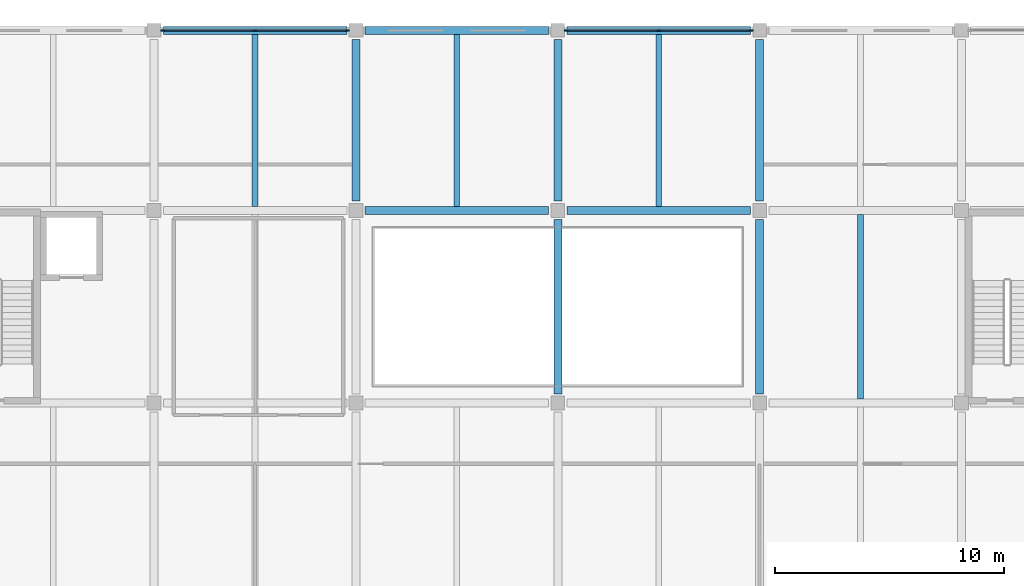
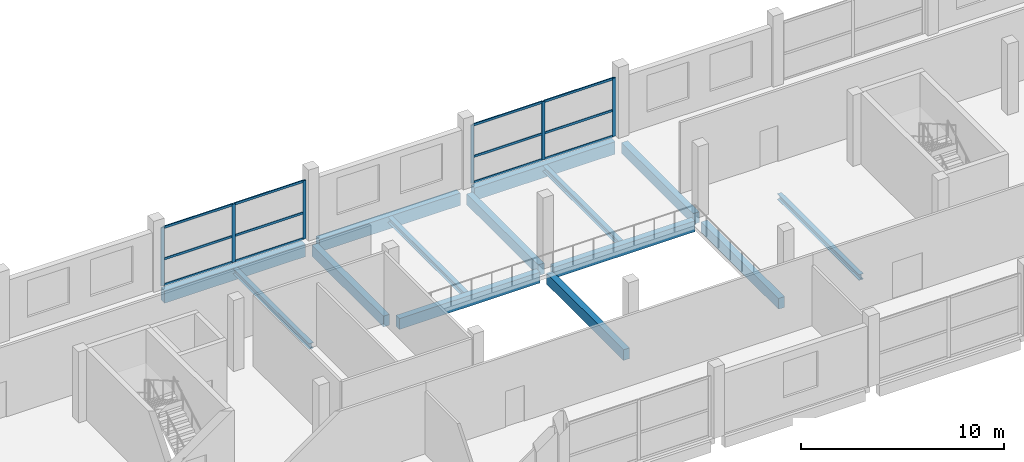
# One storey, part 11 of 38: 18 members, 14 beams, 2 elements without a shape of their own.
"""IFC4 building model written with IfcOpenShell, lengths in metres."""

from ifc_helpers import new_model, si_unit, direction, frame, origin, origin_2d, place, context, subcontext, project, spatial, rectangle, i_section, extrude, material, material_profile, profile_set, type_object, element, aggregate, save


model = new_model("IFC4")

# Units and contexts
model_context = context("Model", 3, precision=1e-05, world=origin(), true_north=direction((0.0, 1.0)))
body_context = subcontext(model_context, "Body", "Model", "MODEL_VIEW")
ifc_project = project(units=[si_unit("LENGTHUNIT", "METRE"), si_unit("AREAUNIT", "SQUARE_METRE"), si_unit("VOLUMEUNIT", "CUBIC_METRE"), si_unit("PLANEANGLEUNIT", "RADIAN"), si_unit("MASSUNIT", "GRAM", prefix="KILO")], contexts=[model_context])

# Site, building, storey
site_placement = place(None, origin())
site = spatial("IfcSite", under=ifc_project, at=site_placement, CompositionType="ELEMENT")
building_placement = place(site_placement, origin())
building = spatial("IfcBuilding", under=site, at=building_placement, Name="Brinegate Botanical Conservatory", CompositionType="ELEMENT")
storey_placement = place(building_placement, frame((0.0, 0.0, 10.199951171875)))
storey = spatial("IfcBuildingStorey", under=building, at=storey_placement, Name="L03", CompositionType="ELEMENT", Elevation=10.199951171875)

# Beams
ifc_material_1 = material(Name="Concrete C40/50", Category="concrete")
ifc_material_profile_1 = material_profile(ifc_material_1, rectangle(XDim=0.35009765625, YDim=0.64990234375, at=origin_2d()), Name="RC BM 350x650")
ifc_profile_set_1 = profile_set([ifc_material_profile_1], Name="Concrete C40/50")
beam_type_1 = type_object("IfcBeamType", Name="Beam_BM-V3", PredefinedType="BEAM", material=ifc_profile_set_1)
for number, where, z_axis, x_axis, name in (
    (1, (77.60009765625, 103.60009765625, -0.544921875), (1.0, 0.0, 0.0), (0.0, 1.0, 0.0), "Beam BM-V3 L03 N:10-11"),
    (2, (86.39990234375, 103.60009765625, -0.544921875), (1.0, 0.0, 0.0), (0.0, 1.0, 0.0), "Beam BM-V3 L03 N:11-12"),
):
    element("IfcBeam", number, at=place(storey_placement, frame(where, z_axis=z_axis, x_axis=x_axis)), inside=storey, type_object=beam_type_1, Name=name, PredefinedType="BEAM", context=body_context, shape_type="SweptSolid", body=[
        extrude(rectangle(XDim=0.35009765625, YDim=0.64990234375, at=origin_2d()), origin(), (0.0, 0.0, 1.0), 8.0),
    ])
beam_1_placement = place(storey_placement, frame((77.199951171875, 104.0, -0.544921875), z_axis=(0.0, 1.0, 0.0), x_axis=(-1.0, 0.0, 0.0)))
element("IfcBeam", 3, at=beam_1_placement, inside=storey, type_object=beam_type_1, Name="Beam BM-V3 L03 10:N-P", PredefinedType="BEAM", context=body_context, shape_type="SweptSolid", body=[
    extrude(rectangle(XDim=0.35009765625, YDim=0.64990234375, at=origin_2d()), origin(), (0.0, 0.0, 1.0), 7.050048828125),
])
beam_2_placement = place(storey_placement, frame((86.0, 95.60009765625, -0.544921875), z_axis=(0.0, 1.0, 0.0), x_axis=(-1.0, 0.0, 0.0)))
element("IfcBeam", 4, at=beam_2_placement, inside=storey, type_object=beam_type_1, Name="Beam BM-V3 L03 11:M-N", PredefinedType="BEAM", context=body_context, shape_type="SweptSolid", body=[
    extrude(rectangle(XDim=0.35009765625, YDim=0.64990234375, at=origin_2d()), origin(), (0.0, 0.0, 1.0), 7.599853515625),
])
beam_3_placement = place(storey_placement, frame((86.0, 104.0, -0.544921875), z_axis=(0.0, 1.0, 0.0), x_axis=(-1.0, 0.0, 0.0)))
element("IfcBeam", 5, at=beam_3_placement, inside=storey, type_object=beam_type_1, Name="Beam BM-V3 L03 11:N-P", PredefinedType="BEAM", context=body_context, shape_type="SweptSolid", body=[
    extrude(rectangle(XDim=0.35009765625, YDim=0.64990234375, at=origin_2d()), origin(), (0.0, 0.0, 1.0), 7.050048828125),
])
beam_4_placement = place(storey_placement, frame((94.800048828125, 95.60009765625, -0.544921875), z_axis=(0.0, 1.0, 0.0), x_axis=(-1.0, 0.0, 0.0)))
element("IfcBeam", 6, at=beam_4_placement, inside=storey, type_object=beam_type_1, Name="Beam BM-V3 L03 12:M-N", PredefinedType="BEAM", context=body_context, shape_type="SweptSolid", body=[
    extrude(rectangle(XDim=0.35009765625, YDim=0.64990234375, at=origin_2d()), origin(), (0.0, 0.0, 1.0), 7.599853515625),
])
beam_5_placement = place(storey_placement, frame((94.800048828125, 104.0, -0.544921875), z_axis=(0.0, 1.0, 0.0), x_axis=(-1.0, 0.0, 0.0)))
element("IfcBeam", 7, at=beam_5_placement, inside=storey, type_object=beam_type_1, Name="Beam BM-V3 L03 12:N-P", PredefinedType="BEAM", context=body_context, shape_type="SweptSolid", body=[
    extrude(rectangle(XDim=0.35009765625, YDim=0.64990234375, at=origin_2d()), origin(), (0.0, 0.0, 1.0), 7.050048828125),
])
ifc_material_2 = material(Name="Structural steel Q355B / S355", Category="steel")
ifc_material_profile_2 = material_profile(ifc_material_2, i_section(OverallWidth=0.25, OverallDepth=0.340087890625, WebThickness=0.009033203125, FlangeThickness=0.013916015625, at=origin_2d()), Name="HM 340x250x9x14")
ifc_profile_set_2 = profile_set([ifc_material_profile_2], Name="Structural steel Q355B / S355")
beam_type_2 = type_object("IfcBeamType", Name="Beam_JS-S5", PredefinedType="JOIST", material=ifc_profile_set_2)
for number, where, z_axis, x_axis, name in (
    (8, (72.800048828125, 103.77490234375, -0.389892578125), (0.0, 1.0, 0.0), (-1.0, 0.0, 0.0), "Floor joist JS-S5 L03 bay 9.13"),
    (9, (81.60009765625, 103.77490234375, -0.389892578125), (0.0, 1.0, 0.0), (-1.0, 0.0, 0.0), "Floor joist JS-S5 L03 bay 10.13"),
    (10, (90.39990234375, 103.77490234375, -0.389892578125), (0.0, 1.0, 0.0), (-1.0, 0.0, 0.0), "Floor joist JS-S5 L03 bay 11.13"),
):
    element("IfcBeam", number, at=place(storey_placement, frame(where, z_axis=z_axis, x_axis=x_axis)), inside=storey, type_object=beam_type_2, Name=name, PredefinedType="JOIST", context=body_context, shape_type="SweptSolid", body=[
        extrude(i_section(OverallWidth=0.25, OverallDepth=0.340087890625, WebThickness=0.009033203125, FlangeThickness=0.013916015625, at=origin_2d()), origin(), (0.0, 0.0, 1.0), 7.5),
    ])
beam_6_placement = place(storey_placement, frame((99.199951171875, 95.375, -0.389892578125), z_axis=(0.0, 1.0, 0.0), x_axis=(-1.0, 0.0, 0.0)))
element("IfcBeam", 11, at=beam_6_placement, inside=storey, type_object=beam_type_2, Name="Floor joist JS-S5 L03 bay 12.12", PredefinedType="JOIST", context=body_context, shape_type="SweptSolid", body=[
    extrude(i_section(OverallWidth=0.25, OverallDepth=0.340087890625, WebThickness=0.009033203125, FlangeThickness=0.013916015625, at=origin_2d()), origin(), (0.0, 0.0, 1.0), 8.050048828125),
])
ifc_material_profile_3 = material_profile(ifc_material_1, rectangle(XDim=0.35009765625, YDim=0.75, at=origin_2d()), Name="RC SPN 350x750")
ifc_profile_set_3 = profile_set([ifc_material_profile_3], Name="Concrete C40/50")
beam_type_3 = type_object("IfcBeamType", Name="Beam_SP-01", PredefinedType="SPANDREL", material=ifc_profile_set_3)
for number, where, z_axis, x_axis, name in (
    (12, (68.800048828125, 111.449951171875, -0.594970703125), (1.0, 0.0, 0.0), (0.0, 1.0, 0.0), "Beam SP-01 L03 P:9-10"),
    (13, (77.60009765625, 111.449951171875, -0.594970703125), (1.0, 0.0, 0.0), (0.0, 1.0, 0.0), "Beam SP-01 L03 P:10-11"),
    (14, (86.39990234375, 111.449951171875, -0.594970703125), (1.0, 0.0, 0.0), (0.0, 1.0, 0.0), "Beam SP-01 L03 P:11-12"),
):
    element("IfcBeam", number, at=place(storey_placement, frame(where, z_axis=z_axis, x_axis=x_axis)), inside=storey, type_object=beam_type_3, Name=name, PredefinedType="SPANDREL", context=body_context, shape_type="SweptSolid", body=[
        extrude(rectangle(XDim=0.35009765625, YDim=0.75, at=origin_2d()), origin(), (0.0, 0.0, 1.0), 8.0),
    ])

# Curtain wall, members
ifc_material_3 = material(Name="Thermally broken anodised aluminium AW-6063-T6", Category="aluminium")
curtain_wall_type = type_object("IfcCurtainWallType", Name="CW_CW-V3", PredefinedType="USERDEFINED", material=ifc_material_3)
curtain_wall_1_placement = place(storey_placement, origin())
curtain_wall_1 = element("IfcCurtainWall", 15, at=curtain_wall_1_placement, inside=storey, type_object=curtain_wall_type, Name="Visitor north factory curtain wall L03.3", ObjectType="FACTORY CURTAIN WALL", PredefinedType="USERDEFINED")
ifc_material_profile_4 = material_profile(ifc_material_3, rectangle(XDim=0.06494140625, YDim=0.179931640625, at=origin_2d()), Name="ALUM MULLION 65x180")
ifc_profile_set_4 = profile_set([ifc_material_profile_4], Name="Thermally broken anodised aluminium AW-6063-T6")
member_type_1 = type_object("IfcMemberType", Name="Member_ML-02", PredefinedType="MULLION", material=ifc_profile_set_4)
member_1_placement = place(storey_placement, frame((68.7724609375, 111.449951171875, 0.0), z_axis=(0.0, 0.0, 1.0), x_axis=(0.0, 1.0, 0.0)))
member_1 = element("IfcMember", 16, at=member_1_placement, type_object=member_type_1, Name="CW-V3 mullion 1", PredefinedType="MULLION", context=body_context, shape_type="SweptSolid", body=[
    extrude(rectangle(XDim=0.06494140625, YDim=0.179931640625, at=origin_2d()), origin(), (0.0, 0.0, 1.0), 3.510009765625),
])
member_2_placement = place(storey_placement, frame((72.800048828125, 111.449951171875, 0.0), z_axis=(0.0, 0.0, 1.0), x_axis=(0.0, 1.0, 0.0)))
member_2 = element("IfcMember", 17, at=member_2_placement, type_object=member_type_1, Name="CW-V3 mullion 2", PredefinedType="MULLION", context=body_context, shape_type="SweptSolid", body=[
    extrude(rectangle(XDim=0.06494140625, YDim=0.179931640625, at=origin_2d()), origin(), (0.0, 0.0, 1.0), 3.510009765625),
])
member_3_placement = place(storey_placement, frame((76.827392578125, 111.449951171875, 0.0), z_axis=(0.0, 0.0, 1.0), x_axis=(0.0, 1.0, 0.0)))
member_3 = element("IfcMember", 18, at=member_3_placement, type_object=member_type_1, Name="CW-V3 mullion 3", PredefinedType="MULLION", context=body_context, shape_type="SweptSolid", body=[
    extrude(rectangle(XDim=0.06494140625, YDim=0.179931640625, at=origin_2d()), origin(), (0.0, 0.0, 1.0), 3.510009765625),
])

curtain_wall_2_placement = place(storey_placement, origin())
curtain_wall_2 = element("IfcCurtainWall", 19, at=curtain_wall_2_placement, inside=storey, type_object=curtain_wall_type, Name="Visitor north factory curtain wall L03.5", ObjectType="FACTORY CURTAIN WALL", PredefinedType="USERDEFINED")
member_4_placement = place(storey_placement, frame((86.37255859375, 111.449951171875, 0.0), z_axis=(0.0, 0.0, 1.0), x_axis=(0.0, 1.0, 0.0)))
member_4 = element("IfcMember", 20, at=member_4_placement, type_object=member_type_1, Name="CW-V3 mullion 1", PredefinedType="MULLION", context=body_context, shape_type="SweptSolid", body=[
    extrude(rectangle(XDim=0.06494140625, YDim=0.179931640625, at=origin_2d()), origin(), (0.0, 0.0, 1.0), 3.510009765625),
])
member_5_placement = place(storey_placement, frame((90.39990234375, 111.449951171875, 0.0), z_axis=(0.0, 0.0, 1.0), x_axis=(0.0, 1.0, 0.0)))
member_5 = element("IfcMember", 21, at=member_5_placement, type_object=member_type_1, Name="CW-V3 mullion 2", PredefinedType="MULLION", context=body_context, shape_type="SweptSolid", body=[
    extrude(rectangle(XDim=0.06494140625, YDim=0.179931640625, at=origin_2d()), origin(), (0.0, 0.0, 1.0), 3.510009765625),
])
member_6_placement = place(storey_placement, frame((94.427490234375, 111.449951171875, 0.0), z_axis=(0.0, 0.0, 1.0), x_axis=(0.0, 1.0, 0.0)))
member_6 = element("IfcMember", 22, at=member_6_placement, type_object=member_type_1, Name="CW-V3 mullion 3", PredefinedType="MULLION", context=body_context, shape_type="SweptSolid", body=[
    extrude(rectangle(XDim=0.06494140625, YDim=0.179931640625, at=origin_2d()), origin(), (0.0, 0.0, 1.0), 3.510009765625),
])

# Member
ifc_material_profile_5 = material_profile(ifc_material_3, rectangle(XDim=0.06494140625, YDim=0.135009765625, at=origin_2d()), Name="ALUM TRANSOM 65x135")
ifc_profile_set_5 = profile_set([ifc_material_profile_5], Name="Thermally broken anodised aluminium AW-6063-T6")
member_type_2 = type_object("IfcMemberType", Name="Member_TR-02", PredefinedType="USERDEFINED", material=ifc_profile_set_5)
member_7_placement = place(storey_placement, frame((68.804931640625, 111.449951171875, 0.032470703125), z_axis=(1.0, 0.0, 0.0), x_axis=(0.0, 1.0, 0.0)))
member_7 = element("IfcMember", 23, at=member_7_placement, type_object=member_type_2, Name="CW-V3 transom 1.1", ObjectType="TRANSOM", PredefinedType="USERDEFINED", context=body_context, shape_type="SweptSolid", body=[
    extrude(rectangle(XDim=0.06494140625, YDim=0.135009765625, at=origin_2d()), origin(), (0.0, 0.0, 1.0), 3.962646484375),
])

member_8_placement = place(storey_placement, frame((68.804931640625, 111.449951171875, 1.580078125), z_axis=(1.0, 0.0, 0.0), x_axis=(0.0, 1.0, 0.0)))
member_8 = element("IfcMember", 24, at=member_8_placement, type_object=member_type_2, Name="CW-V3 transom 1.2", ObjectType="TRANSOM", PredefinedType="USERDEFINED", context=body_context, shape_type="SweptSolid", body=[
    extrude(rectangle(XDim=0.06494140625, YDim=0.135009765625, at=origin_2d()), origin(), (0.0, 0.0, 1.0), 3.962646484375),
])

member_9_placement = place(storey_placement, frame((68.804931640625, 111.449951171875, 3.4775390625), z_axis=(1.0, 0.0, 0.0), x_axis=(0.0, 1.0, 0.0)))
member_9 = element("IfcMember", 25, at=member_9_placement, type_object=member_type_2, Name="CW-V3 transom 1.3", ObjectType="TRANSOM", PredefinedType="USERDEFINED", context=body_context, shape_type="SweptSolid", body=[
    extrude(rectangle(XDim=0.06494140625, YDim=0.135009765625, at=origin_2d()), origin(), (0.0, 0.0, 1.0), 3.962646484375),
])

member_10_placement = place(storey_placement, frame((72.83251953125, 111.449951171875, 0.032470703125), z_axis=(1.0, 0.0, 0.0), x_axis=(0.0, 1.0, 0.0)))
member_10 = element("IfcMember", 26, at=member_10_placement, type_object=member_type_2, Name="CW-V3 transom 2.1", ObjectType="TRANSOM", PredefinedType="USERDEFINED", context=body_context, shape_type="SweptSolid", body=[
    extrude(rectangle(XDim=0.06494140625, YDim=0.135009765625, at=origin_2d()), origin(), (0.0, 0.0, 1.0), 3.96240234375),
])

member_11_placement = place(storey_placement, frame((72.83251953125, 111.449951171875, 1.580078125), z_axis=(1.0, 0.0, 0.0), x_axis=(0.0, 1.0, 0.0)))
member_11 = element("IfcMember", 27, at=member_11_placement, type_object=member_type_2, Name="CW-V3 transom 2.2", ObjectType="TRANSOM", PredefinedType="USERDEFINED", context=body_context, shape_type="SweptSolid", body=[
    extrude(rectangle(XDim=0.06494140625, YDim=0.135009765625, at=origin_2d()), origin(), (0.0, 0.0, 1.0), 3.96240234375),
])

member_12_placement = place(storey_placement, frame((72.83251953125, 111.449951171875, 3.4775390625), z_axis=(1.0, 0.0, 0.0), x_axis=(0.0, 1.0, 0.0)))
member_12 = element("IfcMember", 28, at=member_12_placement, type_object=member_type_2, Name="CW-V3 transom 2.3", ObjectType="TRANSOM", PredefinedType="USERDEFINED", context=body_context, shape_type="SweptSolid", body=[
    extrude(rectangle(XDim=0.06494140625, YDim=0.135009765625, at=origin_2d()), origin(), (0.0, 0.0, 1.0), 3.96240234375),
])

aggregate(curtain_wall_1, [member_1, member_2, member_3, member_7, member_8, member_9, member_10, member_11, member_12])

member_13_placement = place(storey_placement, frame((86.405029296875, 111.449951171875, 0.032470703125), z_axis=(1.0, 0.0, 0.0), x_axis=(0.0, 1.0, 0.0)))
member_13 = element("IfcMember", 29, at=member_13_placement, type_object=member_type_2, Name="CW-V3 transom 1.1", ObjectType="TRANSOM", PredefinedType="USERDEFINED", context=body_context, shape_type="SweptSolid", body=[
    extrude(rectangle(XDim=0.06494140625, YDim=0.135009765625, at=origin_2d()), origin(), (0.0, 0.0, 1.0), 3.96240234375),
])

member_14_placement = place(storey_placement, frame((86.405029296875, 111.449951171875, 1.580078125), z_axis=(1.0, 0.0, 0.0), x_axis=(0.0, 1.0, 0.0)))
member_14 = element("IfcMember", 30, at=member_14_placement, type_object=member_type_2, Name="CW-V3 transom 1.2", ObjectType="TRANSOM", PredefinedType="USERDEFINED", context=body_context, shape_type="SweptSolid", body=[
    extrude(rectangle(XDim=0.06494140625, YDim=0.135009765625, at=origin_2d()), origin(), (0.0, 0.0, 1.0), 3.96240234375),
])

member_15_placement = place(storey_placement, frame((86.405029296875, 111.449951171875, 3.4775390625), z_axis=(1.0, 0.0, 0.0), x_axis=(0.0, 1.0, 0.0)))
member_15 = element("IfcMember", 31, at=member_15_placement, type_object=member_type_2, Name="CW-V3 transom 1.3", ObjectType="TRANSOM", PredefinedType="USERDEFINED", context=body_context, shape_type="SweptSolid", body=[
    extrude(rectangle(XDim=0.06494140625, YDim=0.135009765625, at=origin_2d()), origin(), (0.0, 0.0, 1.0), 3.96240234375),
])

member_16_placement = place(storey_placement, frame((90.4326171875, 111.449951171875, 0.032470703125), z_axis=(1.0, 0.0, 0.0), x_axis=(0.0, 1.0, 0.0)))
member_16 = element("IfcMember", 32, at=member_16_placement, type_object=member_type_2, Name="CW-V3 transom 2.1", ObjectType="TRANSOM", PredefinedType="USERDEFINED", context=body_context, shape_type="SweptSolid", body=[
    extrude(rectangle(XDim=0.06494140625, YDim=0.135009765625, at=origin_2d()), origin(), (0.0, 0.0, 1.0), 3.96240234375),
])

member_17_placement = place(storey_placement, frame((90.4326171875, 111.449951171875, 1.580078125), z_axis=(1.0, 0.0, 0.0), x_axis=(0.0, 1.0, 0.0)))
member_17 = element("IfcMember", 33, at=member_17_placement, type_object=member_type_2, Name="CW-V3 transom 2.2", ObjectType="TRANSOM", PredefinedType="USERDEFINED", context=body_context, shape_type="SweptSolid", body=[
    extrude(rectangle(XDim=0.06494140625, YDim=0.135009765625, at=origin_2d()), origin(), (0.0, 0.0, 1.0), 3.96240234375),
])

member_18_placement = place(storey_placement, frame((90.4326171875, 111.449951171875, 3.4775390625), z_axis=(1.0, 0.0, 0.0), x_axis=(0.0, 1.0, 0.0)))
member_18 = element("IfcMember", 34, at=member_18_placement, type_object=member_type_2, Name="CW-V3 transom 2.3", ObjectType="TRANSOM", PredefinedType="USERDEFINED", context=body_context, shape_type="SweptSolid", body=[
    extrude(rectangle(XDim=0.06494140625, YDim=0.135009765625, at=origin_2d()), origin(), (0.0, 0.0, 1.0), 3.96240234375),
])

aggregate(curtain_wall_2, [member_4, member_5, member_6, member_13, member_14, member_15, member_16, member_17, member_18])

save(model, "model.ifc")
